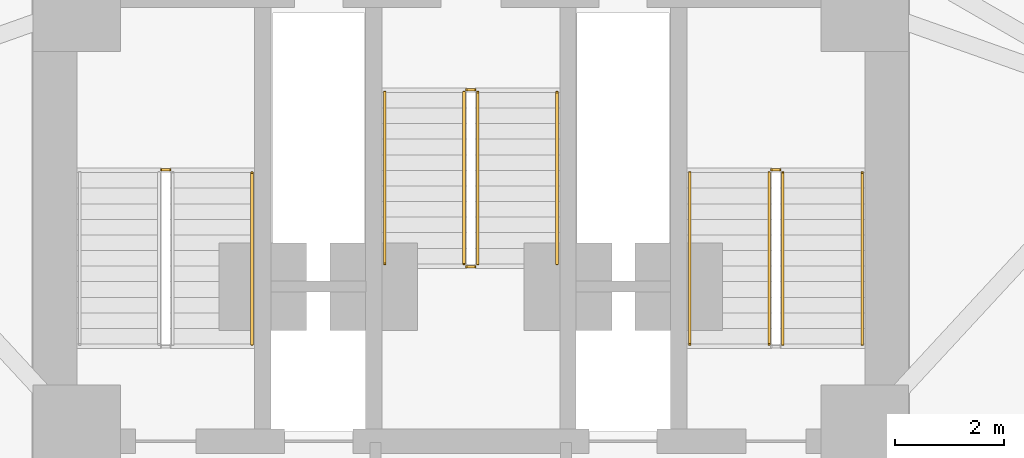
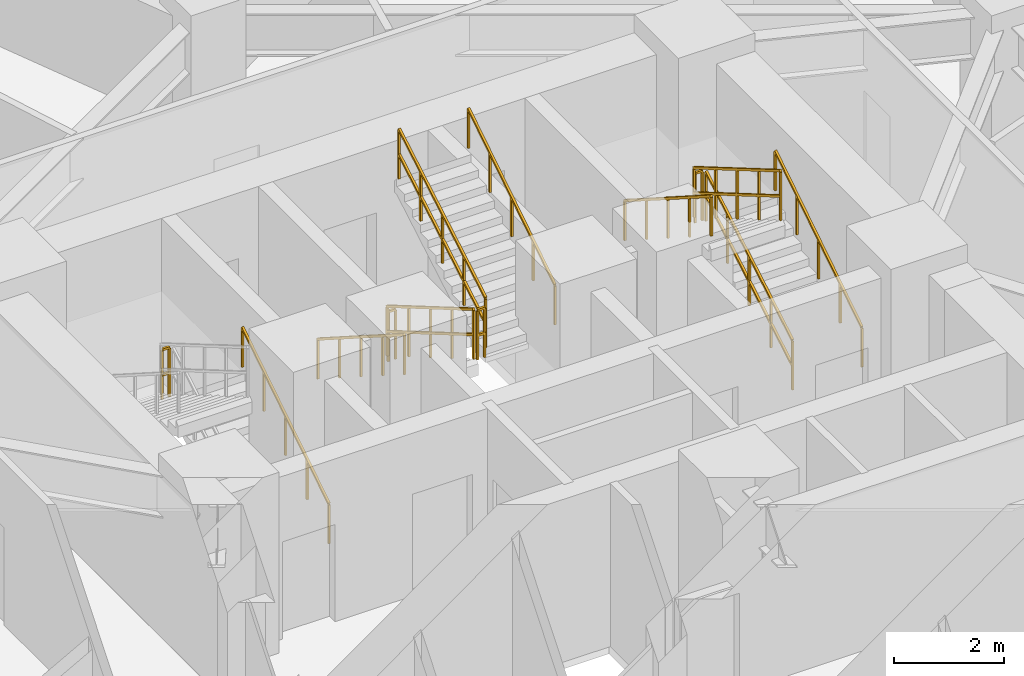
# One storey, part 15 of 16: 13 railings.
"""IFC4 building model written with IfcOpenShell, lengths in metres."""

import ifcopenshell
import ifcopenshell.guid

model = None  # the IFC model being written
_history = None  # IfcOwnerHistory: only IFC2X3 demands one
_inside = {}  # id of a spatial element -> (the spatial element, [elements in it])
_under = {}  # id of a project, library or spatial element -> (it, [spatial elements below it])
_declared = {}  # id of a project -> (the project, [libraries it declares])
_typed = {}  # id of a type object -> (the type object, [elements of that type])
_made_of = {}  # id of a material, layer set ... -> (it, [elements and type objects made of it])


def new_model(schema):
    """Start an empty IFC model of exactly this schema.

    Asked for "IFC4X3", IfcOpenShell would pick the latest addendum, in which some entities
    have other attributes; the version numbers below select the first issue.
    IFC2X3 requires an IfcOwnerHistory on every rooted entity: one is made here for all.
    """
    global model, _history
    if schema == "IFC4X3":
        model = ifcopenshell.file(schema_version=(4, 3, 0, 0))
    else:
        model = ifcopenshell.file(schema=schema)
    _inside.clear()
    _under.clear()
    _declared.clear()
    _typed.clear()
    _made_of.clear()
    _history = None
    if model.schema == "IFC2X3":
        org = make("IfcOrganization", Name="unknown")
        user = make(
            "IfcPersonAndOrganization",
            ThePerson=make("IfcPerson", FamilyName="unknown"),
            TheOrganization=org,
        )
        app = make(
            "IfcApplication",
            ApplicationDeveloper=org,
            Version="unknown",
            ApplicationFullName="unknown",
            ApplicationIdentifier="unknown",
        )
        _history = make(
            "IfcOwnerHistory",
            OwningUser=user,
            OwningApplication=app,
            ChangeAction="ADDED",
            CreationDate=0,
        )
    return model


def make(cls, **values):
    """One entity of the class cls with the attributes given. An attribute that is None is left unset."""
    return model.create_entity(
        cls, **{name: value for name, value in values.items() if value is not None}
    )


def rooted(cls, **values):
    """An entity with a GlobalId (a new one), such as an element, a storey or a relation."""
    return make(cls, GlobalId=ifcopenshell.guid.new(), OwnerHistory=_history, **values)


def si_unit(unit_type, name, prefix=None):
    """IfcSIUnit, for example si_unit("LENGTHUNIT", "METRE", prefix="MILLI")."""
    return make("IfcSIUnit", UnitType=unit_type, Prefix=prefix, Name=name)


def assignment(units):
    """IfcUnitAssignment: the units of a project."""
    return None if units is None else make("IfcUnitAssignment", Units=units)


def point(xyz):
    """IfcCartesianPoint."""
    return None if xyz is None else make("IfcCartesianPoint", Coordinates=xyz)


def direction(xyz):
    """IfcDirection."""
    return None if xyz is None else make("IfcDirection", DirectionRatios=xyz)


def frame(location, z_axis=None, x_axis=None):
    """IfcAxis2Placement3D, a coordinate frame: its origin and axes. An axis left out is left unset."""
    return make(
        "IfcAxis2Placement3D",
        Location=point(location),
        Axis=direction(z_axis),
        RefDirection=direction(x_axis),
    )


def frame_2d(location, x_axis=None):
    """IfcAxis2Placement2D, a coordinate frame in the plane: its origin and x axis."""
    return make(
        "IfcAxis2Placement2D", Location=point(location), RefDirection=direction(x_axis)
    )


def origin():
    """The frame at (0, 0, 0) with its axes left unset."""
    return frame((0.0, 0.0, 0.0))


def origin_2d():
    """The frame at (0, 0) in the plane with its x axis left unset."""
    return frame_2d((0.0, 0.0))


def place(relative_to, where):
    """IfcLocalPlacement: puts the frame where relative to a parent placement (None: the world)."""
    return make(
        "IfcLocalPlacement", PlacementRelTo=relative_to, RelativePlacement=where
    )


def context(
    kind, dimensions, precision=None, world=None, true_north=None, identifier=None
):
    """IfcGeometricRepresentationContext, for example the 3D "Model" context."""
    return make(
        "IfcGeometricRepresentationContext",
        ContextIdentifier=identifier,
        ContextType=kind,
        CoordinateSpaceDimension=dimensions,
        Precision=precision,
        WorldCoordinateSystem=world,
        TrueNorth=true_north,
    )


def subcontext(parent, identifier, kind, view, scale=None):
    """IfcGeometricRepresentationSubContext, for example "Body" below "Model"."""
    return make(
        "IfcGeometricRepresentationSubContext",
        ContextIdentifier=identifier,
        ContextType=kind,
        ParentContext=parent,
        TargetScale=scale,
        TargetView=view,
    )


def project(units=None, contexts=None):
    """IfcProject with its units and contexts."""
    return rooted(
        "IfcProject",
        Name="project",
        RepresentationContexts=contexts,
        UnitsInContext=assignment(units),
    )


def spatial(cls, under=None, at=None, **own):
    """A site, building, storey or space (cls), placed at a placement, below another one or the project."""
    s = rooted(cls, ObjectPlacement=at, **own)
    if under is not None:
        _under.setdefault(under.id(), (under, []))[1].append(s)
    return s


def profile(cls, at=None, kind="AREA", **sizes):
    """A parametric profile (cls). Its sizes go by their IFC names, for example OverallWidth=200.0."""
    return make(cls, ProfileType=kind, Position=at, **sizes)


def rectangle(**sizes):
    """IfcRectangleProfileDef."""
    return profile("IfcRectangleProfileDef", **sizes)


def extrude(swept, where, along, depth):
    """IfcExtrudedAreaSolid: the profile swept, set in the frame where, extruded along a direction by depth."""
    return make(
        "IfcExtrudedAreaSolid",
        SweptArea=swept,
        Position=where,
        ExtrudedDirection=direction(along),
        Depth=depth,
    )


def shape(context_of_items, identifier, shape_type, items):
    """IfcShapeRepresentation: the items that make up one representation, for example the "Body"."""
    return make(
        "IfcShapeRepresentation",
        ContextOfItems=context_of_items,
        RepresentationIdentifier=identifier,
        RepresentationType=shape_type,
        Items=items,
    )


def material(Name=None, Category=None):
    """IfcMaterial."""
    return make("IfcMaterial", Name=Name, Category=Category)


def made_of(thing, what):
    """Note that an element or type object is made of a material, layer set ...; save() writes the relation."""
    if what is not None:
        _made_of.setdefault(what.id(), (what, []))[1].append(thing)
    return thing


def type_object(cls, material=None, **own):
    """A type object (cls), such as IfcWallType, which elements share."""
    return made_of(rooted(cls, **own), material)


def element(
    cls,
    number,
    at=None,
    inside=None,
    cuts=None,
    type_object=None,
    material=None,
    context=None,
    identifier="Body",
    shape_type=None,
    held_by="IfcProductDefinitionShape",
    body=None,
    shapes=None,
    **own,
):
    """One element of the class cls, such as IfcWall. Its Tag is "e" and its number.

    at: its placement. inside: the storey or other place that contains it. cuts: it is an
    opening in that element (IfcRelVoidsElement). A single representation is given by context,
    identifier, shape_type and body (its items); several are given by shapes. held_by: the class
    of the entity that holds the representations. save() writes the other relations.
    """
    e = rooted(cls, Tag="e%d" % number, ObjectPlacement=at, **own)
    if body is not None:
        shapes = [shape(context, identifier, shape_type, body)]
    if shapes is not None:
        e.Representation = make(held_by, Representations=shapes)
    if inside is not None:
        _inside.setdefault(inside.id(), (inside, []))[1].append(e)
    if cuts is not None:
        rooted(
            "IfcRelVoidsElement", RelatingBuildingElement=cuts, RelatedOpeningElement=e
        )
    if type_object is not None:
        _typed.setdefault(type_object.id(), (type_object, []))[1].append(e)
    return made_of(e, material)


def aggregate(whole, parts):
    """IfcRelAggregates: a whole, such as a stair, and the parts it consists of."""
    return rooted("IfcRelAggregates", RelatingObject=whole, RelatedObjects=parts)


def save(model, path):
    """Write the relations noted so far, then the file.

    IfcRelAggregates (storeys below a building ...), IfcRelContainedInSpatialStructure (elements
    in a storey), IfcRelDefinesByType, IfcRelAssociatesMaterial and IfcRelDeclares: one each for
    every whole, place, type object, material and project.
    """
    for whole, parts in _under.values():
        aggregate(whole, parts)
    for where, things in _inside.values():
        rooted(
            "IfcRelContainedInSpatialStructure",
            RelatedElements=things,
            RelatingStructure=where,
        )
    for kind, things in _typed.values():
        rooted("IfcRelDefinesByType", RelatedObjects=things, RelatingType=kind)
    for what, things in _made_of.values():
        rooted("IfcRelAssociatesMaterial", RelatedObjects=things, RelatingMaterial=what)
    for by, libraries in _declared.values():
        rooted("IfcRelDeclares", RelatingContext=by, RelatedDefinitions=libraries)
    model.write(path)


model = new_model("IFC4")

# Units and contexts
model_context = context("Model", 3, precision=1e-05, world=origin(), true_north=direction((0.0, 1.0)))
body_context = subcontext(model_context, "Body", "Model", "MODEL_VIEW")
ifc_project = project(units=[si_unit("LENGTHUNIT", "METRE"), si_unit("AREAUNIT", "SQUARE_METRE"), si_unit("VOLUMEUNIT", "CUBIC_METRE"), si_unit("PLANEANGLEUNIT", "RADIAN"), si_unit("MASSUNIT", "GRAM", prefix="KILO")], contexts=[model_context])

# Site, building, storey
site_placement = place(None, origin())
site = spatial("IfcSite", under=ifc_project, at=site_placement, CompositionType="ELEMENT")
building_placement = place(site_placement, origin())
building = spatial("IfcBuilding", under=site, at=building_placement, Name="Apsidion Concourse Tower", CompositionType="ELEMENT")
storey_placement = place(building_placement, frame((0.0, 0.0, 58.39990234375)))
storey = spatial("IfcBuildingStorey", under=building, at=storey_placement, Name="L12", CompositionType="ELEMENT", Elevation=58.39990234375)

# Railings
ifc_material = material(Name="Brushed stainless steel 316", Category="steel")
railing_type_1 = type_object("IfcRailingType", Name="RL-GUARD-1100", PredefinedType="GUARDRAIL", material=ifc_material)
railing_1_placement = place(storey_placement, frame((-5.5, 6.18505859375, 2.0)))
element("IfcRailing", 1, at=railing_1_placement, inside=storey, type_object=railing_type_1, Name="L12 ST1 stair guard 2", PredefinedType="GUARDRAIL", context=body_context, shape_type="SweptSolid", body=[
    extrude(rectangle(XDim=0.048095703125, YDim=0.048095703125, at=origin_2d()), frame((0.0, 0.0, 1.09619140625), z_axis=(-1.0, 0.0, 0.0), x_axis=(0.0, -1.0, 0.0)), (0.0, 0.0, 1.0), 0.14990234375),
    extrude(rectangle(XDim=0.048095703125, YDim=0.048095703125, at=origin_2d()), frame((0.0, 0.0, 0.5361328125), z_axis=(-1.0, 0.0, 0.0), x_axis=(0.0, -1.0, 0.0)), (0.0, 0.0, 1.0), 0.14990234375),
    extrude(rectangle(XDim=0.0419921875, YDim=0.0419921875, at=origin_2d()), origin(), (0.0, 0.0, 1.0), 1.072021484375),
    extrude(rectangle(XDim=0.0419921875, YDim=0.0419921875, at=origin_2d()), frame((-0.14990234375, 0.0, 0.0)), (0.0, 0.0, 1.0), 1.072021484375),
])
railing_2_placement = place(storey_placement, frame((5.699951171875, 3.0, 0.166748046875)))
element("IfcRailing", 2, at=railing_2_placement, inside=storey, type_object=railing_type_1, Name="L12 ST2 stair guard 1", PredefinedType="GUARDRAIL", context=body_context, shape_type="SweptSolid", body=[
    extrude(rectangle(XDim=0.048095703125, YDim=0.048095703125, at=origin_2d()), frame((0.0, 0.0, 1.09619140625), z_axis=(0.0, 0.863239559939, 0.504794475164), x_axis=(-1.0, 0.0, 0.0)), (0.0, 0.0, 1.0), 3.631591796875),
    extrude(rectangle(XDim=0.048095703125, YDim=0.048095703125, at=origin_2d()), frame((0.0, 0.0, 0.5361328125), z_axis=(0.0, 0.863239559939, 0.504794475164), x_axis=(-1.0, 0.0, 0.0)), (0.0, 0.0, 1.0), 3.631591796875),
    extrude(rectangle(XDim=0.0419921875, YDim=0.0419921875, at=origin_2d()), origin(), (0.0, 0.0, 1.0), 1.072021484375),
    extrude(rectangle(XDim=0.0419921875, YDim=0.0419921875, at=origin_2d()), frame((0.0, 0.78369140625, 0.458251953125)), (0.0, 0.0, 1.0), 1.072021484375),
    extrude(rectangle(XDim=0.0419921875, YDim=0.0419921875, at=origin_2d()), frame((0.0, 1.5673828125, 0.91650390625)), (0.0, 0.0, 1.0), 1.072021484375),
    extrude(rectangle(XDim=0.0419921875, YDim=0.0419921875, at=origin_2d()), frame((0.0, 2.351318359375, 1.375)), (0.0, 0.0, 1.0), 1.072021484375),
    extrude(rectangle(XDim=0.0419921875, YDim=0.0419921875, at=origin_2d()), frame((0.0, 3.135009765625, 1.833251953125)), (0.0, 0.0, 1.0), 1.072021484375),
])
railing_3_placement = place(storey_placement, frame((5.64990234375, 6.18505859375, 2.0)))
element("IfcRailing", 3, at=railing_3_placement, inside=storey, type_object=railing_type_1, Name="L12 ST2 stair guard 2", PredefinedType="GUARDRAIL", context=body_context, shape_type="SweptSolid", body=[
    extrude(rectangle(XDim=0.048095703125, YDim=0.048095703125, at=origin_2d()), frame((0.0, 0.0, 1.09619140625), z_axis=(-1.0, 0.0, 0.0), x_axis=(0.0, -1.0, 0.0)), (0.0, 0.0, 1.0), 0.14990234375),
    extrude(rectangle(XDim=0.048095703125, YDim=0.048095703125, at=origin_2d()), frame((0.0, 0.0, 0.5361328125), z_axis=(-1.0, 0.0, 0.0), x_axis=(0.0, -1.0, 0.0)), (0.0, 0.0, 1.0), 0.14990234375),
    extrude(rectangle(XDim=0.0419921875, YDim=0.0419921875, at=origin_2d()), origin(), (0.0, 0.0, 1.0), 1.072021484375),
    extrude(rectangle(XDim=0.0419921875, YDim=0.0419921875, at=origin_2d()), frame((-0.14990234375, 0.0, 0.0)), (0.0, 0.0, 1.0), 1.072021484375),
])
for number, where, name in (
    (4, (5.449951171875, 6.135009765625, 2.166748046875), "L12 ST2 stair guard 3"),
    (5, (-0.125, 7.60009765625, 0.166748046875), "L12 ST3 stair guard 1"),
):
    element("IfcRailing", number, at=place(storey_placement, frame(where)), inside=storey, type_object=railing_type_1, Name=name, PredefinedType="GUARDRAIL", context=body_context, shape_type="SweptSolid", body=[
        extrude(rectangle(XDim=0.048095703125, YDim=0.048095703125, at=origin_2d()), frame((0.0, 0.0, 1.09619140625), z_axis=(0.0, -0.863239559939, 0.504794475164), x_axis=(1.0, 0.0, 0.0)), (0.0, 0.0, 1.0), 3.631591796875),
        extrude(rectangle(XDim=0.048095703125, YDim=0.048095703125, at=origin_2d()), frame((0.0, 0.0, 0.5361328125), z_axis=(0.0, -0.863239559939, 0.504794475164), x_axis=(1.0, 0.0, 0.0)), (0.0, 0.0, 1.0), 3.631591796875),
        extrude(rectangle(XDim=0.0419921875, YDim=0.0419921875, at=origin_2d()), origin(), (0.0, 0.0, 1.0), 1.072021484375),
        extrude(rectangle(XDim=0.0419921875, YDim=0.0419921875, at=origin_2d()), frame((0.0, -0.78369140625, 0.458251953125)), (0.0, 0.0, 1.0), 1.072021484375),
        extrude(rectangle(XDim=0.0419921875, YDim=0.0419921875, at=origin_2d()), frame((0.0, -1.5673828125, 0.91650390625)), (0.0, 0.0, 1.0), 1.072021484375),
        extrude(rectangle(XDim=0.0419921875, YDim=0.0419921875, at=origin_2d()), frame((0.0, -2.351318359375, 1.375)), (0.0, 0.0, 1.0), 1.072021484375),
        extrude(rectangle(XDim=0.0419921875, YDim=0.0419921875, at=origin_2d()), frame((0.0, -3.135009765625, 1.833251953125)), (0.0, 0.0, 1.0), 1.072021484375),
    ])
railing_4_placement = place(storey_placement, frame((-0.074951171875, 4.4150390625, 2.0)))
element("IfcRailing", 6, at=railing_4_placement, inside=storey, type_object=railing_type_1, Name="L12 ST3 stair guard 2", PredefinedType="GUARDRAIL", context=body_context, shape_type="SweptSolid", body=[
    extrude(rectangle(XDim=0.048095703125, YDim=0.048095703125, at=origin_2d()), frame((0.0, 0.0, 1.09619140625), z_axis=(1.0, 0.0, 0.0), x_axis=(0.0, 1.0, 0.0)), (0.0, 0.0, 1.0), 0.14990234375),
    extrude(rectangle(XDim=0.048095703125, YDim=0.048095703125, at=origin_2d()), frame((0.0, 0.0, 0.5361328125), z_axis=(1.0, 0.0, 0.0), x_axis=(0.0, 1.0, 0.0)), (0.0, 0.0, 1.0), 0.14990234375),
    extrude(rectangle(XDim=0.0419921875, YDim=0.0419921875, at=origin_2d()), origin(), (0.0, 0.0, 1.0), 1.072021484375),
    extrude(rectangle(XDim=0.0419921875, YDim=0.0419921875, at=origin_2d()), frame((0.14990234375, 0.0, 0.0)), (0.0, 0.0, 1.0), 1.072021484375),
])
railing_5_placement = place(storey_placement, frame((0.125, 4.465087890625, 2.166748046875)))
element("IfcRailing", 7, at=railing_5_placement, inside=storey, type_object=railing_type_1, Name="L12 ST3 stair guard 3", PredefinedType="GUARDRAIL", context=body_context, shape_type="SweptSolid", body=[
    extrude(rectangle(XDim=0.048095703125, YDim=0.048095703125, at=origin_2d()), frame((0.0, 0.0, 1.09619140625), z_axis=(0.0, 0.863239559939, 0.504794475164), x_axis=(-1.0, 0.0, 0.0)), (0.0, 0.0, 1.0), 3.631591796875),
    extrude(rectangle(XDim=0.048095703125, YDim=0.048095703125, at=origin_2d()), frame((0.0, 0.0, 0.5361328125), z_axis=(0.0, 0.863239559939, 0.504794475164), x_axis=(-1.0, 0.0, 0.0)), (0.0, 0.0, 1.0), 3.631591796875),
    extrude(rectangle(XDim=0.0419921875, YDim=0.0419921875, at=origin_2d()), origin(), (0.0, 0.0, 1.0), 1.072021484375),
    extrude(rectangle(XDim=0.0419921875, YDim=0.0419921875, at=origin_2d()), frame((0.0, 0.78369140625, 0.458251953125)), (0.0, 0.0, 1.0), 1.072021484375),
    extrude(rectangle(XDim=0.0419921875, YDim=0.0419921875, at=origin_2d()), frame((0.0, 1.5673828125, 0.91650390625)), (0.0, 0.0, 1.0), 1.072021484375),
    extrude(rectangle(XDim=0.0419921875, YDim=0.0419921875, at=origin_2d()), frame((0.0, 2.351318359375, 1.375)), (0.0, 0.0, 1.0), 1.072021484375),
    extrude(rectangle(XDim=0.0419921875, YDim=0.0419921875, at=origin_2d()), frame((0.0, 3.135009765625, 1.833251953125)), (0.0, 0.0, 1.0), 1.072021484375),
])
railing_6_placement = place(storey_placement, frame((-0.074951171875, 7.64990234375, 0.0)))
element("IfcRailing", 8, at=railing_6_placement, inside=storey, type_object=railing_type_1, Name="L12 ST3 stair guard 4", PredefinedType="GUARDRAIL", context=body_context, shape_type="SweptSolid", body=[
    extrude(rectangle(XDim=0.048095703125, YDim=0.048095703125, at=origin_2d()), frame((0.0, 0.0, 1.09619140625), z_axis=(1.0, 0.0, 0.0), x_axis=(0.0, 1.0, 0.0)), (0.0, 0.0, 1.0), 0.14990234375),
    extrude(rectangle(XDim=0.048095703125, YDim=0.048095703125, at=origin_2d()), frame((0.0, 0.0, 0.5361328125), z_axis=(1.0, 0.0, 0.0), x_axis=(0.0, 1.0, 0.0)), (0.0, 0.0, 1.0), 0.14990234375),
    extrude(rectangle(XDim=0.0419921875, YDim=0.0419921875, at=origin_2d()), origin(), (0.0, 0.0, 1.0), 1.072021484375),
    extrude(rectangle(XDim=0.0419921875, YDim=0.0419921875, at=origin_2d()), frame((0.14990234375, 0.0, 0.0)), (0.0, 0.0, 1.0), 1.072021484375),
])
railing_type_2 = type_object("IfcRailingType", Name="RL-HAND-900", PredefinedType="HANDRAIL", material=ifc_material)
for number, where, name in (
    (9, (-4.0, 3.0, 0.166748046875), "L12 ST1 stair handrail 1"),
    (10, (7.14990234375, 3.0, 0.166748046875), "L12 ST2 stair handrail 1"),
):
    element("IfcRailing", number, at=place(storey_placement, frame(where)), inside=storey, type_object=railing_type_2, Name=name, PredefinedType="HANDRAIL", context=body_context, shape_type="SweptSolid", body=[
        extrude(rectangle(XDim=0.048095703125, YDim=0.048095703125, at=origin_2d()), frame((0.0, 0.0, 0.8759765625), z_axis=(0.0, 0.843052688722, 0.537830980921), x_axis=(-1.0, 0.0, 0.0)), (0.0, 0.0, 1.0), 3.71875),
        extrude(rectangle(XDim=0.0419921875, YDim=0.0419921875, at=origin_2d()), origin(), (0.0, 0.0, 1.0), 0.851806640625),
        extrude(rectangle(XDim=0.0419921875, YDim=0.0419921875, at=origin_2d()), frame((0.0, 0.78369140625, 0.5)), (0.0, 0.0, 1.0), 0.851806640625),
        extrude(rectangle(XDim=0.0419921875, YDim=0.0419921875, at=origin_2d()), frame((0.0, 1.5673828125, 1.0)), (0.0, 0.0, 1.0), 0.851806640625),
        extrude(rectangle(XDim=0.0419921875, YDim=0.0419921875, at=origin_2d()), frame((0.0, 2.351318359375, 1.5)), (0.0, 0.0, 1.0), 0.851806640625),
        extrude(rectangle(XDim=0.0419921875, YDim=0.0419921875, at=origin_2d()), frame((0.0, 3.135009765625, 2.0)), (0.0, 0.0, 1.0), 0.851806640625),
    ])
for number, where, name in (
    (11, (4.0, 6.135009765625, 2.166748046875), "L12 ST2 stair handrail 2"),
    (12, (-1.574951171875, 7.60009765625, 0.166748046875), "L12 ST3 stair handrail 1"),
):
    element("IfcRailing", number, at=place(storey_placement, frame(where)), inside=storey, type_object=railing_type_2, Name=name, PredefinedType="HANDRAIL", context=body_context, shape_type="SweptSolid", body=[
        extrude(rectangle(XDim=0.048095703125, YDim=0.048095703125, at=origin_2d()), frame((0.0, 0.0, 0.8759765625), z_axis=(0.0, -0.843052688722, 0.537830980921), x_axis=(1.0, 0.0, 0.0)), (0.0, 0.0, 1.0), 3.71875),
        extrude(rectangle(XDim=0.0419921875, YDim=0.0419921875, at=origin_2d()), origin(), (0.0, 0.0, 1.0), 0.851806640625),
        extrude(rectangle(XDim=0.0419921875, YDim=0.0419921875, at=origin_2d()), frame((0.0, -0.78369140625, 0.5)), (0.0, 0.0, 1.0), 0.851806640625),
        extrude(rectangle(XDim=0.0419921875, YDim=0.0419921875, at=origin_2d()), frame((0.0, -1.5673828125, 1.0)), (0.0, 0.0, 1.0), 0.851806640625),
        extrude(rectangle(XDim=0.0419921875, YDim=0.0419921875, at=origin_2d()), frame((0.0, -2.351318359375, 1.5)), (0.0, 0.0, 1.0), 0.851806640625),
        extrude(rectangle(XDim=0.0419921875, YDim=0.0419921875, at=origin_2d()), frame((0.0, -3.135009765625, 2.0)), (0.0, 0.0, 1.0), 0.851806640625),
    ])
railing_7_placement = place(storey_placement, frame((1.574951171875, 4.465087890625, 2.166748046875)))
element("IfcRailing", 13, at=railing_7_placement, inside=storey, type_object=railing_type_2, Name="L12 ST3 stair handrail 2", PredefinedType="HANDRAIL", context=body_context, shape_type="SweptSolid", body=[
    extrude(rectangle(XDim=0.048095703125, YDim=0.048095703125, at=origin_2d()), frame((0.0, 0.0, 0.8759765625), z_axis=(0.0, 0.843052688722, 0.537830980921), x_axis=(-1.0, 0.0, 0.0)), (0.0, 0.0, 1.0), 3.71875),
    extrude(rectangle(XDim=0.0419921875, YDim=0.0419921875, at=origin_2d()), origin(), (0.0, 0.0, 1.0), 0.851806640625),
    extrude(rectangle(XDim=0.0419921875, YDim=0.0419921875, at=origin_2d()), frame((0.0, 0.78369140625, 0.5)), (0.0, 0.0, 1.0), 0.851806640625),
    extrude(rectangle(XDim=0.0419921875, YDim=0.0419921875, at=origin_2d()), frame((0.0, 1.5673828125, 1.0)), (0.0, 0.0, 1.0), 0.851806640625),
    extrude(rectangle(XDim=0.0419921875, YDim=0.0419921875, at=origin_2d()), frame((0.0, 2.351318359375, 1.5)), (0.0, 0.0, 1.0), 0.851806640625),
    extrude(rectangle(XDim=0.0419921875, YDim=0.0419921875, at=origin_2d()), frame((0.0, 3.135009765625, 2.0)), (0.0, 0.0, 1.0), 0.851806640625),
])

save(model, "model.ifc")
